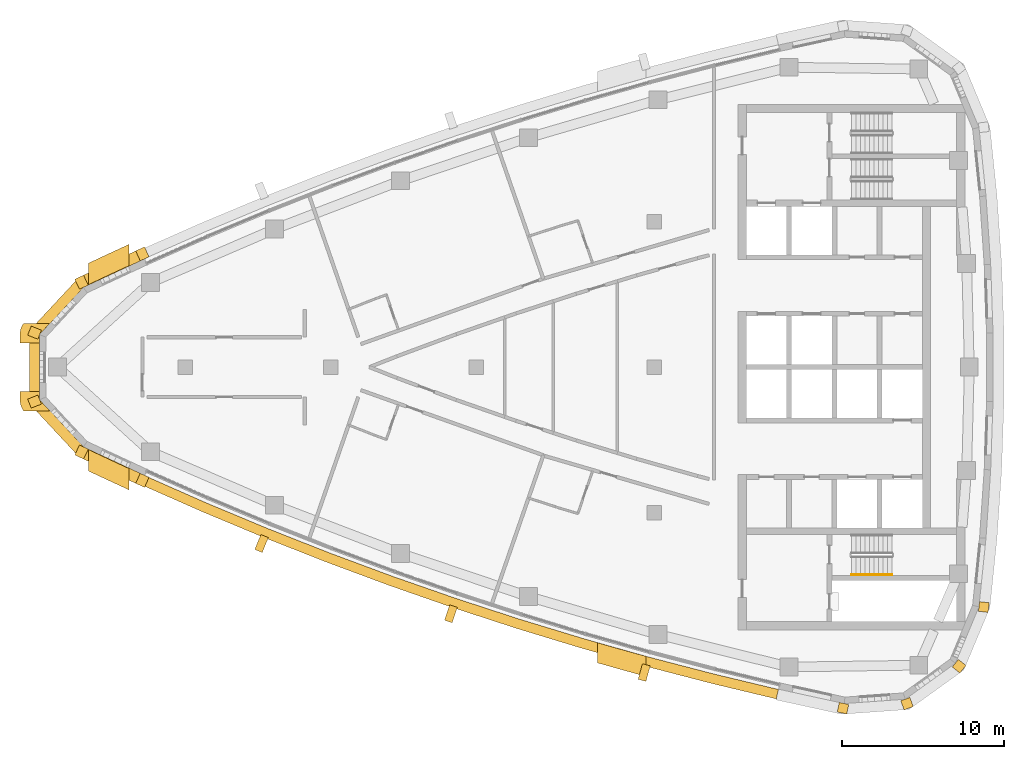
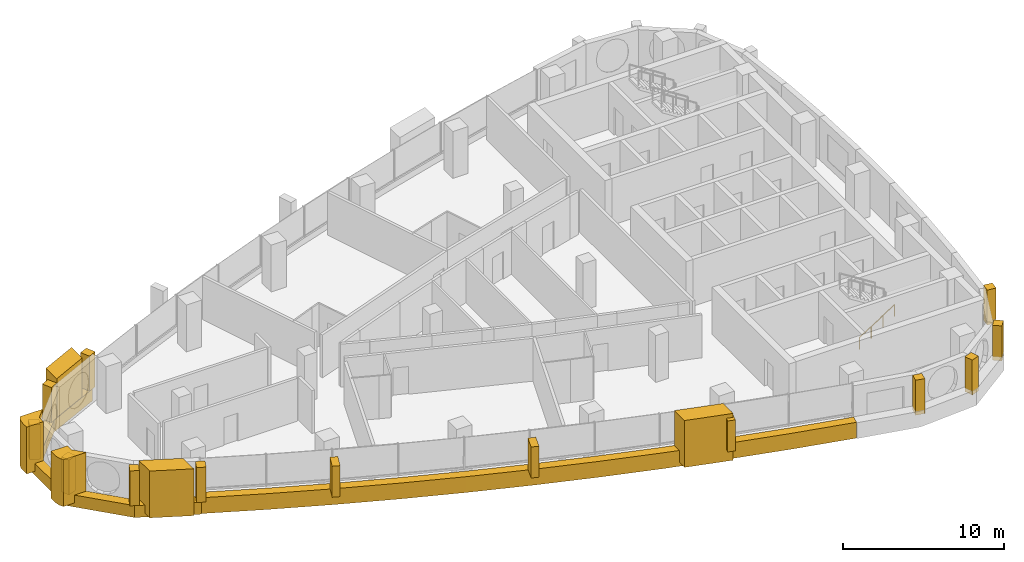
# One storey, part 11 of 14: 20 coverings, 1 railing.
"""IFC4 building model written with IfcOpenShell, lengths in metres."""

from ifc_helpers import new_model, si_unit, direction, frame, frame_2d, origin, origin_2d, place, context, subcontext, project, spatial, polyline, rectangle, circle, outline, extrude, material, layer, layer_set, type_object, element, save


model = new_model("IFC4")

# Units and contexts
model_context = context("Model", 3, precision=1e-05, world=origin(), true_north=direction((0.0, 1.0)))
body_context = subcontext(model_context, "Body", "Model", "MODEL_VIEW")
ifc_project = project(units=[si_unit("LENGTHUNIT", "METRE"), si_unit("AREAUNIT", "SQUARE_METRE"), si_unit("VOLUMEUNIT", "CUBIC_METRE"), si_unit("PLANEANGLEUNIT", "RADIAN"), si_unit("MASSUNIT", "GRAM", prefix="KILO")], contexts=[model_context])

# Site, building, storey
site_placement = place(None, origin())
site = spatial("IfcSite", under=ifc_project, at=site_placement, CompositionType="ELEMENT")
building_placement = place(site_placement, origin())
building = spatial("IfcBuilding", under=site, at=building_placement, Name="Ostrand Prow Hotel Tower", CompositionType="ELEMENT")
storey_placement = place(building_placement, frame((0.0, 0.0, 275.0)))
storey = spatial("IfcBuildingStorey", under=building, at=storey_placement, Name="L69", CompositionType="ELEMENT", Elevation=275.0)

# Coverings
ifc_material_1 = material(Name="Bronze anodised aluminium cladding", Category="aluminium")
ifc_layer_1 = layer(ifc_material_1, 0.60009765625)
ifc_layer_set_1 = layer_set([ifc_layer_1], Name="Bronze anodised aluminium cladding")
covering_type_1 = type_object("IfcCoveringType", Name="Bronze prow band 899x600", PredefinedType="CLADDING", material=ifc_layer_set_1)
covering_1_placement = place(storey_placement, frame((0.0, 0.0, -0.300048828125)))
element("IfcCovering", 1, at=covering_1_placement, inside=storey, type_object=covering_type_1, Name="Bronze prow band", PredefinedType="CLADDING", context=body_context, shape_type="SweptSolid", body=[
    extrude(outline(polyline([(13.195068359375, 7.316162109375), (9.424560546875, 5.559814453125), (6.348388671875, 2.2568359375), (6.348388671875, -2.2568359375), (9.424560546875, -5.559814453125), (13.195068359375, -7.316162109375), (13.47607421875, -6.697021484375), (9.718017578125, -4.9462890625), (6.981201171875, -2.0078125), (6.981201171875, 2.0078125), (9.718017578125, 4.9462890625), (13.47607421875, 6.697021484375), (13.195068359375, 7.316162109375)])), origin(), (0.0, 0.0, 1.0), 0.900146484375),
])
ifc_material_2 = material(Name="Bronze anodised aluminium cladding", Category="aluminium")
ifc_layer_2 = layer(ifc_material_2, 0.60009765625)
ifc_layer_set_2 = layer_set([ifc_layer_2], Name="Bronze anodised aluminium cladding")
covering_type_2 = type_object("IfcCoveringType", Name="Bronze spandrel band 1200x600", PredefinedType="CLADDING", material=ifc_layer_set_2)
covering_2_placement = place(storey_placement, frame((0.0, 0.0, -0.300048828125)))
element("IfcCovering", 2, at=covering_2_placement, inside=storey, type_object=covering_type_2, Name="Spandrel band S1", PredefinedType="CLADDING", context=body_context, shape_type="SweptSolid", body=[
    extrude(outline(polyline([(13.220947265625, -7.25927734375), (17.02490234375, -8.938720703125), (20.86181640625, -10.541748046875), (24.72998046875, -12.067138671875), (28.62841796875, -13.514404296875), (32.5546875, -14.88330078125), (36.508056640625, -16.172607421875), (40.486328125, -17.382568359375), (44.48828125, -18.51220703125), (48.51220703125, -19.56103515625), (52.55615234375, -20.52880859375), (52.68994140625, -19.94384765625), (48.65771484375, -18.97900390625), (44.6455078125, -17.93310546875), (40.6552734375, -16.806884765625), (36.6884765625, -15.6005859375), (32.74658203125, -14.314697265625), (28.83154296875, -12.949951171875), (24.944580078125, -11.5068359375), (21.08740234375, -9.98583984375), (17.26171875, -8.3876953125), (13.468994140625, -6.712890625), (13.220947265625, -7.25927734375)])), origin(), (0.0, 0.0, 1.0), 1.199951171875),
])
ifc_material_3 = material(Name="Limestone cladding", Category="masonry")
ifc_layer_3 = layer(ifc_material_3, 5.0)
ifc_layer_set_3 = layer_set([ifc_layer_3], Name="Limestone cladding")
covering_type_3 = type_object("IfcCoveringType", Name="Portal jamb pilaster limestone", PredefinedType="CLADDING", material=ifc_layer_set_3)
covering_3_placement = place(storey_placement, origin())
element("IfcCovering", 3, at=covering_3_placement, inside=storey, type_object=covering_type_3, Name="Portal jamb SA L69", PredefinedType="CLADDING", context=body_context, shape_type="SweptSolid", body=[
    extrude(outline(polyline([(10.0, -5.10009765625), (10.0, -6.428466796875), (10.833251953125, -6.8203125), (11.666748046875, -7.20751953125), (12.5, -7.590087890625), (12.5, -6.270263671875), (11.666748046875, -5.884765625), (10.833251953125, -5.494873046875), (10.0, -5.10009765625)])), origin(), (0.0, 0.0, 1.0), 3.550048828125),
])
covering_4_placement = place(storey_placement, origin())
element("IfcCovering", 4, at=covering_4_placement, inside=storey, type_object=covering_type_3, Name="Portal jamb SB L69", PredefinedType="CLADDING", context=body_context, shape_type="SweptSolid", body=[
    extrude(outline(polyline([(41.5, -17.052490234375), (41.5, -18.301025390625), (42.5, -18.585205078125), (43.5, -18.86376953125), (44.5, -19.136962890625), (44.5, -17.8935546875), (43.5, -17.61865234375), (42.5, -17.338134765625), (41.5, -17.052490234375)])), origin(), (0.0, 0.0, 1.0), 3.550048828125),
])
covering_5_placement = place(storey_placement, origin())
element("IfcCovering", 5, at=covering_5_placement, inside=storey, type_object=covering_type_3, Name="Portal jamb NA L69", PredefinedType="CLADDING", context=body_context, shape_type="SweptSolid", body=[
    extrude(outline(polyline([(10.0, 5.10009765625), (10.833251953125, 5.494873046875), (11.666748046875, 5.884765625), (12.5, 6.270263671875), (12.5, 7.590087890625), (11.666748046875, 7.20751953125), (10.833251953125, 6.8203125), (10.0, 6.428466796875), (10.0, 5.10009765625)])), origin(), (0.0, 0.0, 1.0), 3.550048828125),
])
ifc_material_4 = material(Name="Limestone cladding", Category="masonry")
ifc_layer_4 = layer(ifc_material_4, 0.5)
ifc_layer_set_4 = layer_set([ifc_layer_4], Name="Limestone cladding")
covering_type_4 = type_object("IfcCoveringType", Name="Precast stone fin 500x900", PredefinedType="CLADDING", material=ifc_layer_set_4)
covering_6_placement = place(storey_placement, frame((20.8994140625, -10.44921875, 0.89990234375), z_axis=(0.0, 0.0, 1.0), x_axis=(-0.376311544034, -0.926493184987, 0.0)))
element("IfcCovering", 6, at=covering_6_placement, inside=storey, type_object=covering_type_4, Name="Stone fin S 3", PredefinedType="CLADDING", context=body_context, shape_type="SweptSolid", body=[
    extrude(rectangle(XDim=0.999755859375, YDim=0.5, at=frame_2d((0.5, 0.0))), origin(), (0.0, 0.0, 1.0), 2.35009765625),
])
for number, where, z_axis, x_axis, name in (
    (7, (32.5869140625, -14.78857421875, 0.89990234375), (0.0, 0.0, 1.0), (-0.319814258793, -0.947480258302, 0.0), "Stone fin S 6"),
    (8, (44.514404296875, -18.41552734375, 0.89990234375), (0.0, 0.0, 1.0), (-0.261960376774, -0.965078629439, 0.0), "Stone fin S 9"),
):
    element("IfcCovering", number, at=place(storey_placement, frame(where, z_axis=z_axis, x_axis=x_axis)), inside=storey, type_object=covering_type_4, Name=name, PredefinedType="CLADDING", context=body_context, shape_type="SweptSolid", body=[
        extrude(rectangle(XDim=1.0, YDim=0.5, at=frame_2d((0.5, 0.0))), origin(), (0.0, 0.0, 1.0), 2.35009765625),
    ])
ifc_material_5 = material(Name="Limestone cladding", Category="masonry")
ifc_layer_5 = layer(ifc_material_5, 0.60009765625)
ifc_layer_set_5 = layer_set([ifc_layer_5], Name="Limestone cladding")
covering_type_5 = type_object("IfcCoveringType", Name="Precast stone prow rib 600x600", PredefinedType="CLADDING", material=ifc_layer_set_5)
covering_7_placement = place(storey_placement, frame((13.47607421875, 6.697021484375, 0.60009765625), z_axis=(0.0, 0.0, 1.0), x_axis=(-0.413288868051, 0.910599973394, 0.0)))
element("IfcCovering", 9, at=covering_7_placement, inside=storey, type_object=covering_type_5, Name="Stone prow rib 1", PredefinedType="CLADDING", context=body_context, shape_type="SweptSolid", body=[
    extrude(rectangle(XDim=0.679931640625, YDim=0.60009765625, at=frame_2d((0.33984375, 0.0))), origin(), (0.0, 0.0, 1.0), 2.64990234375),
])
covering_8_placement = place(storey_placement, frame((9.718017578125, 4.9462890625, 0.60009765625), z_axis=(0.0, 0.0, 1.0), x_axis=(-0.431493603995, 0.902115995707, 0.0)))
element("IfcCovering", 10, at=covering_8_placement, inside=storey, type_object=covering_type_5, Name="Stone prow rib 2", PredefinedType="CLADDING", context=body_context, shape_type="SweptSolid", body=[
    extrude(rectangle(XDim=0.68017578125, YDim=0.60009765625, at=frame_2d((0.340087890625, 0.0))), origin(), (0.0, 0.0, 1.0), 2.64990234375),
])
for number, where, z_axis, x_axis, name in (
    (11, (6.981201171875, 2.0078125, 0.60009765625), (0.0, 0.0, 1.0), (-0.93054188789, 0.366185465142, 0.0), "Stone prow rib 3"),
    (12, (6.981201171875, -2.0078125, 0.60009765625), (0.0, 0.0, 1.0), (-0.93054188789, -0.366185465142, 0.0), "Stone prow rib 4"),
):
    element("IfcCovering", number, at=place(storey_placement, frame(where, z_axis=z_axis, x_axis=x_axis)), inside=storey, type_object=covering_type_5, Name=name, PredefinedType="CLADDING", context=body_context, shape_type="SweptSolid", body=[
        extrude(rectangle(XDim=0.679931640625, YDim=0.60009765625, at=frame_2d((0.33984375, 0.0))), origin(), (0.0, 0.0, 1.0), 2.64990234375),
    ])
covering_9_placement = place(storey_placement, frame((9.718017578125, -4.9462890625, 0.60009765625), z_axis=(0.0, 0.0, 1.0), x_axis=(-0.431493603995, -0.902115995707, 0.0)))
element("IfcCovering", 13, at=covering_9_placement, inside=storey, type_object=covering_type_5, Name="Stone prow rib 5", PredefinedType="CLADDING", context=body_context, shape_type="SweptSolid", body=[
    extrude(rectangle(XDim=0.68017578125, YDim=0.60009765625, at=frame_2d((0.340087890625, 0.0))), origin(), (0.0, 0.0, 1.0), 2.64990234375),
])
covering_10_placement = place(storey_placement, frame((13.47607421875, -6.697021484375, 0.60009765625), z_axis=(0.0, 0.0, 1.0), x_axis=(-0.413288868051, -0.910599973394, 0.0)))
element("IfcCovering", 14, at=covering_10_placement, inside=storey, type_object=covering_type_5, Name="Stone prow rib 6", PredefinedType="CLADDING", context=body_context, shape_type="SweptSolid", body=[
    extrude(rectangle(XDim=0.679931640625, YDim=0.60009765625, at=frame_2d((0.33984375, 0.0))), origin(), (0.0, 0.0, 1.0), 2.64990234375),
])
covering_11_placement = place(storey_placement, frame((56.744384765625, -20.810546875, 0.60009765625), z_axis=(0.0, 0.0, 1.0), x_axis=(-0.203385687349, -0.979098698897, 0.0)))
element("IfcCovering", 15, at=covering_11_placement, inside=storey, type_object=covering_type_5, Name="Stone corner rib 2a", PredefinedType="CLADDING", context=body_context, shape_type="SweptSolid", body=[
    extrude(rectangle(XDim=0.60009765625, YDim=0.60009765625, at=frame_2d((0.300048828125, 0.0))), origin(), (0.0, 0.0, 1.0), 2.64990234375),
])
for number, where, z_axis, x_axis, name in (
    (16, (60.540283203125, -20.539794921875, 0.60009765625), (0.0, 0.0, 1.0), (0.340664419472, -0.940184956966, 0.0), "Stone corner rib 3a"),
    (17, (63.630615234375, -18.318359375, 0.60009765625), (0.0, 0.0, 1.0), (0.782731736812, -0.622359243674, 0.0), "Stone corner rib 4a"),
):
    element("IfcCovering", number, at=place(storey_placement, frame(where, z_axis=z_axis, x_axis=x_axis)), inside=storey, type_object=covering_type_5, Name=name, PredefinedType="CLADDING", context=body_context, shape_type="SweptSolid", body=[
        extrude(rectangle(XDim=0.599853515625, YDim=0.60009765625, at=frame_2d((0.2998046875, 0.0))), origin(), (0.0, 0.0, 1.0), 2.64990234375),
    ])
covering_12_placement = place(storey_placement, frame((65.0966796875, -14.806396484375, 0.60009765625), z_axis=(0.0, 0.0, 1.0), x_axis=(0.992867207971, -0.119225447515, 0.0)))
element("IfcCovering", 18, at=covering_12_placement, inside=storey, type_object=covering_type_5, Name="Stone corner rib 4b", PredefinedType="CLADDING", context=body_context, shape_type="SweptSolid", body=[
    extrude(rectangle(XDim=0.60009765625, YDim=0.60009765625, at=frame_2d((0.300048828125, 0.0))), origin(), (0.0, 0.0, 1.0), 2.64990234375),
])
ifc_material_6 = material(Name="Limestone cladding", Category="masonry")
ifc_layer_6 = layer(ifc_material_6, 3.0)
ifc_layer_set_6 = layer_set([ifc_layer_6], Name="Limestone cladding")
covering_type_6 = type_object("IfcCoveringType", Name="Prow nose pier limestone", PredefinedType="CLADDING", material=ifc_layer_set_6)
covering_13_placement = place(storey_placement, origin())
element("IfcCovering", 19, at=covering_13_placement, inside=storey, type_object=covering_type_6, Name="Prow spine fin N L69", PredefinedType="CLADDING", context=body_context, shape_type="SweptSolid", body=[
    extrude(outline(polyline([(5.764892578125, 2.01416015625), (5.764892578125, 1.5), (6.96484375, 1.5), (6.96484375, 2.01416015625), (7.603515625, 2.699951171875), (5.981689453125, 2.699951171875), (5.94970703125, 2.654052734375), (5.894287109375, 2.55615234375), (5.84814453125, 2.45361328125), (5.81201171875, 2.34716796875), (5.785888671875, 2.23779296875), (5.77001953125, 2.12646484375), (5.764892578125, 2.01416015625)])), origin(), (0.0, 0.0, 1.0), 3.550048828125),
])
covering_14_placement = place(storey_placement, origin())
element("IfcCovering", 20, at=covering_14_placement, inside=storey, type_object=covering_type_6, Name="Prow spine fin S L69", PredefinedType="CLADDING", context=body_context, shape_type="SweptSolid", body=[
    extrude(outline(polyline([(5.94970703125, -2.654052734375), (5.981689453125, -2.699951171875), (7.603515625, -2.699951171875), (6.96484375, -2.01416015625), (6.96484375, -1.5), (5.764892578125, -1.5), (5.764892578125, -2.01416015625), (5.77001953125, -2.12646484375), (5.785888671875, -2.23779296875), (5.81201171875, -2.34716796875), (5.84814453125, -2.45361328125), (5.894287109375, -2.55615234375), (5.94970703125, -2.654052734375)])), origin(), (0.0, 0.0, 1.0), 3.550048828125),
])

# Railing
ifc_material_7 = material(Name="Stainless steel", Category="steel")
railing_type = type_object("IfcRailingType", Name="Stair handrail 900", PredefinedType="HANDRAIL", material=ifc_material_7)
railing_placement = place(storey_placement, frame((57.199951171875, -12.85009765625, 0.177490234375)))
element("IfcRailing", 21, at=railing_placement, inside=storey, type_object=railing_type, Name="L69 ST2C stair handrail 1", PredefinedType="HANDRAIL", context=body_context, shape_type="SweptSolid", body=[
    extrude(circle(Radius=0.02392578125, at=origin_2d()), frame((0.0, 0.0, 0.8759765625), z_axis=(0.84460694969, 0.0, 0.535386869969), x_axis=(0.0, 1.0, 0.0)), (0.0, 0.0, 1.0), 2.983642578125),
    extrude(circle(Radius=0.02099609375, at=origin_2d()), origin(), (0.0, 0.0, 1.0), 0.851806640625),
    extrude(circle(Radius=0.02099609375, at=origin_2d()), frame((0.840087890625, 0.0, 0.532470703125)), (0.0, 0.0, 1.0), 0.851806640625),
    extrude(circle(Radius=0.02099609375, at=origin_2d()), frame((1.679931640625, 0.0, 1.06494140625)), (0.0, 0.0, 1.0), 0.851806640625),
    extrude(circle(Radius=0.02099609375, at=origin_2d()), frame((2.52001953125, 0.0, 1.597412109375)), (0.0, 0.0, 1.0), 0.851806640625),
])

save(model, "model.ifc")
